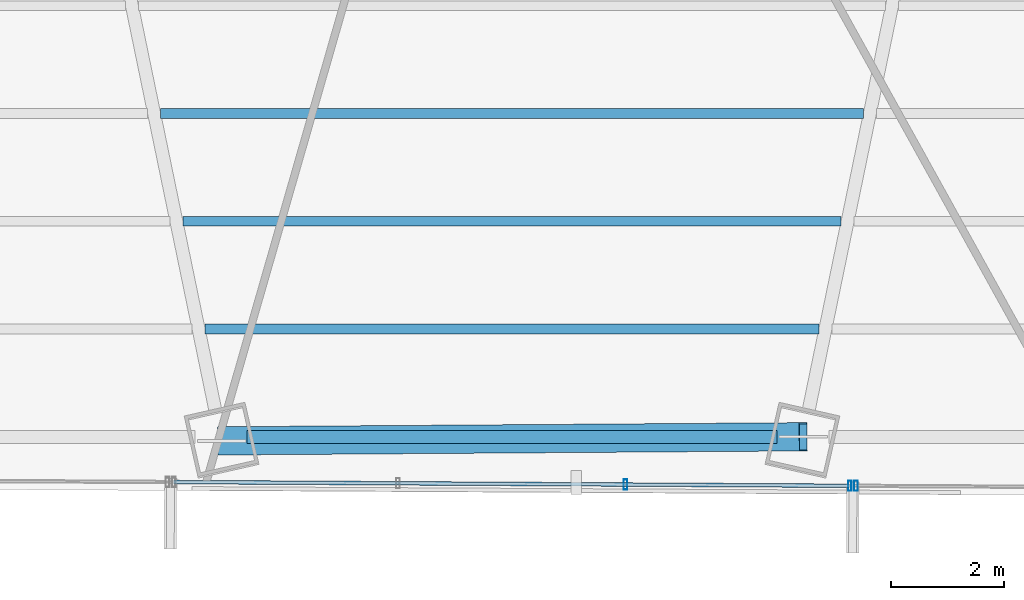
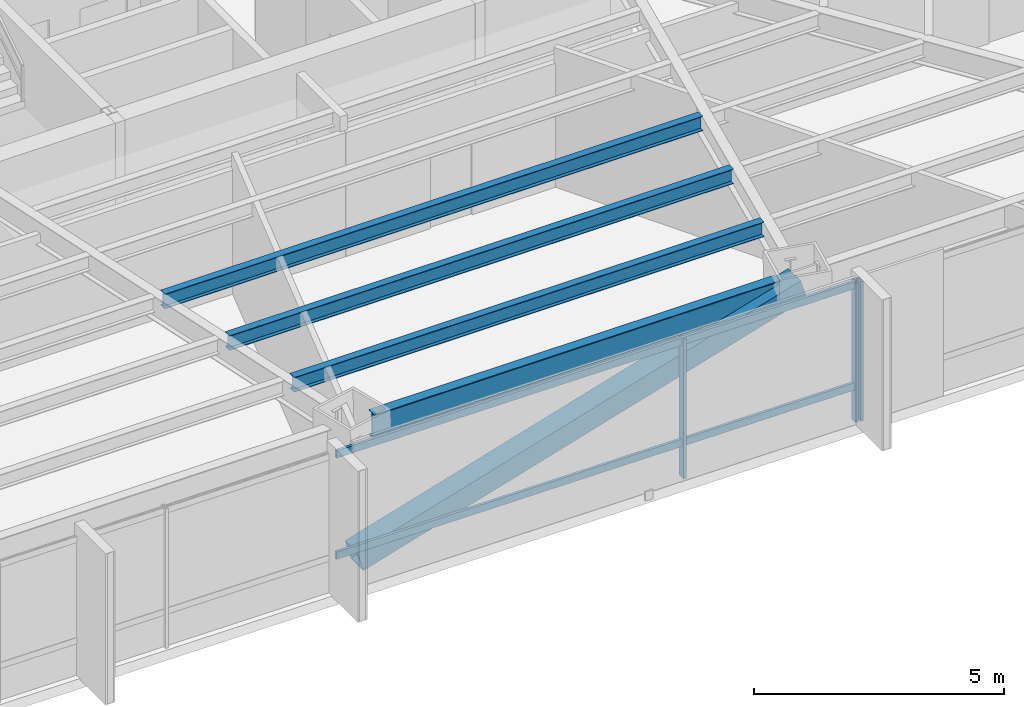
# One storey, part 9 of 36: 6 members, 4 beams, 2 elements without a shape of their own.
"""IFC4 building model written with IfcOpenShell, lengths in metres."""

from ifc_helpers import new_model, si_unit, direction, frame, origin, origin_2d, place, context, subcontext, project, spatial, hollow_rectangle, i_section, extrude, source, transform, mapped, material, material_profile, profile_set, type_object, type_shapes, element, aggregate, save


model = new_model("IFC4")

# Units and contexts
model_context = context("Model", 3, precision=1e-05, world=origin(), true_north=direction((0.0, 1.0)))
body_context = subcontext(model_context, "Body", "Model", "MODEL_VIEW")
ifc_project = project(units=[si_unit("LENGTHUNIT", "METRE"), si_unit("AREAUNIT", "SQUARE_METRE"), si_unit("VOLUMEUNIT", "CUBIC_METRE"), si_unit("PLANEANGLEUNIT", "RADIAN"), si_unit("MASSUNIT", "GRAM", prefix="KILO")], contexts=[model_context])

# Site, building, storey
site_placement = place(None, origin())
site = spatial("IfcSite", under=ifc_project, at=site_placement, CompositionType="ELEMENT")
building_placement = place(site_placement, origin())
building = spatial("IfcBuilding", under=site, at=building_placement, Name="Caelisora Broadcast Tower", CompositionType="ELEMENT")
storey_placement = place(building_placement, frame((0.0, 0.0, 83.5)))
storey = spatial("IfcBuildingStorey", under=building, at=storey_placement, Name="L21", CompositionType="ELEMENT", Elevation=83.5)

# Beams
ifc_material_1 = material(Name="Steel Grade 350 (AS/NZS 3679.1)", Category="steel")
ifc_material_profile_1 = material_profile(ifc_material_1, i_section(OverallWidth=0.22900390625, OverallDepth=0.611572265625, WebThickness=0.011962890625, FlangeThickness=0.01953125, at=origin_2d()), Name="Steel Grade 350 (AS/NZS 3679.1)")
ifc_profile_set_1 = profile_set([ifc_material_profile_1], Name="Steel Grade 350 (AS/NZS 3679.1)")
beam_type_1 = type_object("IfcBeamType", Name="PG03", PredefinedType="BEAM", material=ifc_profile_set_1)
shared_shape_1 = source(origin(), body_context, "Body", "SweptSolid", [
    extrude(i_section(OverallWidth=0.22900390625, OverallDepth=0.611572265625, WebThickness=0.011962890625, FlangeThickness=0.01953125, at=origin_2d()), origin(), (0.0, 0.0, 1.0), 9.36962890625),
])
type_shapes(beam_type_1, [shared_shape_1])
beam_1_placement = place(storey_placement, frame((33.315185546875, 5.9794921875, 3.09423828125), z_axis=(1.0, 0.0, 0.0), x_axis=(0.0, 1.0, 0.0)))
element("IfcBeam", 1, at=beam_1_placement, inside=storey, type_object=beam_type_1, Name="L21 beam PG03", PredefinedType="BEAM", context=body_context, shape_type="MappedRepresentation", body=[
    mapped(shared_shape_1, transform((0.0, 0.0, 0.0), scale=1.0)),
])
ifc_material_profile_2 = material_profile(ifc_material_1, i_section(OverallWidth=0.172119140625, OverallDepth=0.358642578125, WebThickness=0.008056640625, FlangeThickness=0.012939453125, at=origin_2d()), Name="Steel Grade 350 (AS/NZS 3679.1)")
ifc_profile_set_2 = profile_set([ifc_material_profile_2], Name="Steel Grade 350 (AS/NZS 3679.1)")
beam_type_2 = type_object("IfcBeamType", Name="SB02", PredefinedType="JOIST", material=ifc_profile_set_2)
shared_shape_2 = source(origin(), body_context, "Body", "SweptSolid", [
    extrude(i_section(OverallWidth=0.172119140625, OverallDepth=0.358642578125, WebThickness=0.008056640625, FlangeThickness=0.012939453125, at=origin_2d()), origin(), (0.0, 0.0, 1.0), 12.41796875),
])
beam_2_placement = place(storey_placement, frame((31.791015625, 11.689697265625, 3.220703125), z_axis=(1.0, 0.0, 0.0), x_axis=(0.0, 1.0, 0.0)))
element("IfcBeam", 2, at=beam_2_placement, inside=storey, type_object=beam_type_2, Name="L21 beam SB02", PredefinedType="JOIST", context=body_context, shape_type="MappedRepresentation", body=[
    mapped(shared_shape_2, transform((0.0, 0.0, 0.0), scale=1.0)),
])
shared_shape_3 = source(origin(), body_context, "Body", "SweptSolid", [
    extrude(i_section(OverallWidth=0.172119140625, OverallDepth=0.358642578125, WebThickness=0.008056640625, FlangeThickness=0.012939453125, at=origin_2d()), origin(), (0.0, 0.0, 1.0), 11.6328125),
])
beam_3_placement = place(storey_placement, frame((32.18359375, 9.786376953125, 3.220703125), z_axis=(1.0, 0.0, 0.0), x_axis=(0.0, 1.0, 0.0)))
element("IfcBeam", 3, at=beam_3_placement, inside=storey, type_object=beam_type_2, Name="L21 beam SB02", PredefinedType="JOIST", context=body_context, shape_type="MappedRepresentation", body=[
    mapped(shared_shape_3, transform((0.0, 0.0, 0.0), scale=1.0)),
])
shared_shape_4 = source(origin(), body_context, "Body", "SweptSolid", [
    extrude(i_section(OverallWidth=0.172119140625, OverallDepth=0.358642578125, WebThickness=0.008056640625, FlangeThickness=0.012939453125, at=origin_2d()), origin(), (0.0, 0.0, 1.0), 10.84765625),
])
type_shapes(beam_type_2, [shared_shape_2, shared_shape_3, shared_shape_4])
beam_4_placement = place(storey_placement, frame((32.576171875, 7.8828125, 3.220703125), z_axis=(1.0, 0.0, 0.0), x_axis=(0.0, 1.0, 0.0)))
element("IfcBeam", 4, at=beam_4_placement, inside=storey, type_object=beam_type_2, Name="L21 beam SB02", PredefinedType="JOIST", context=body_context, shape_type="MappedRepresentation", body=[
    mapped(shared_shape_4, transform((0.0, 0.0, 0.0), scale=1.0)),
])

# Member
ifc_material_2 = material(Name="Steel Grade 450 L15 (AS/NZS 3678)", Category="steel")
ifc_material_profile_3 = material_profile(ifc_material_2, hollow_rectangle(XDim=0.5, YDim=0.5, WallThickness=0.02001953125, at=origin_2d()), Name="Steel Grade 450 L15 (AS/NZS 3678)")
ifc_profile_set_3 = profile_set([ifc_material_profile_3], Name="Steel Grade 450 L15 (AS/NZS 3678)")
member_type_1 = type_object("IfcMemberType", Name="BR02", PredefinedType="BRACE", material=ifc_profile_set_3)
shared_shape_5 = source(origin(), body_context, "Body", "SweptSolid", [
    extrude(hollow_rectangle(XDim=0.5, YDim=0.5, WallThickness=0.02001953125, at=origin_2d()), origin(), (0.0, 0.0, 1.0), 10.702392578125),
])
type_shapes(member_type_1, [shared_shape_5])
member_1_placement = place(storey_placement, frame((32.87158203125, 5.9072265625, 0.10009765625), z_axis=(0.959886343306, 0.006752212686, 0.280308072591), x_axis=(-0.007034213666, 0.999975259613, 0.0)))
element("IfcMember", 5, at=member_1_placement, inside=storey, type_object=member_type_1, Name="L21 perimeter brace BR02", PredefinedType="BRACE", context=body_context, shape_type="MappedRepresentation", body=[
    mapped(shared_shape_5, transform((0.0, 0.0, 0.0), scale=1.0)),
])

# Curtain wall, member
ifc_material_3 = material(Name="Unitised Aluminium and Low-E Glass Curtain Wall", Category="glass")
curtain_wall_type_1 = type_object("IfcCurtainWallType", Name="CW-Z2", PredefinedType="NOTDEFINED", material=ifc_material_3)
curtain_wall_1_placement = place(storey_placement, origin())
curtain_wall_1 = element("IfcCurtainWall", 6, at=curtain_wall_1_placement, inside=storey, type_object=curtain_wall_type_1, Name="L21 curtain wall CW-Z2", PredefinedType="NOTDEFINED")
ifc_material_4 = material(Name="Aluminium 6063-T6 Anodised Terracotta Bronze", Category="aluminium")
ifc_material_profile_4 = material_profile(ifc_material_4, hollow_rectangle(XDim=0.06494140625, YDim=0.179931640625, WallThickness=0.00341796875, at=origin_2d()), Name="Aluminium 6063-T6 Anodised Terracotta Bronze")
ifc_profile_set_4 = profile_set([ifc_material_profile_4], Name="Aluminium 6063-T6 Anodised Terracotta Bronze")
member_type_2 = type_object("IfcMemberType", Name="CWM-02", PredefinedType="MULLION", material=ifc_profile_set_4)
shared_shape_6 = source(origin(), body_context, "Body", "SweptSolid", [
    extrude(hollow_rectangle(XDim=0.06494140625, YDim=0.179931640625, WallThickness=0.00341796875, at=origin_2d()), origin(), (0.0, 0.0, 1.0), 3.39990234375),
])
type_shapes(member_type_2, [shared_shape_6])
member_2_placement = place(storey_placement, frame((44.0791015625, 5.11328125, 0.0), z_axis=(0.0, 0.0, 1.0), x_axis=(1.0, 0.0, 0.0)))
member_2 = element("IfcMember", 7, at=member_2_placement, type_object=member_type_2, Name="L21-CW-B05 mullion #3", PredefinedType="MULLION", context=body_context, shape_type="MappedRepresentation", body=[
    mapped(shared_shape_6, transform((0.0, 0.0, 0.0), scale=1.0)),
])
aggregate(curtain_wall_1, [member_2])

# Curtain wall, members
ifc_material_5 = material(Name="Unitised Aluminium Insulated Shadow-Box Spandrel Curtain Wall", Category="aluminium")
curtain_wall_type_2 = type_object("IfcCurtainWallType", Name="CW-SP1", PredefinedType="NOTDEFINED", material=ifc_material_5)
curtain_wall_2_placement = place(storey_placement, origin())
curtain_wall_2 = element("IfcCurtainWall", 8, at=curtain_wall_2_placement, inside=storey, type_object=curtain_wall_type_2, Name="L21 curtain wall CW-SP1", PredefinedType="NOTDEFINED")
member_3_placement = place(storey_placement, frame((43.968994140625, 5.11376953125, 0.0), z_axis=(0.0, 0.0, 1.0), x_axis=(1.0, 0.0, 0.0)))
member_3 = element("IfcMember", 9, at=member_3_placement, type_object=member_type_2, Name="L21-CW-B06 mullion #0", PredefinedType="MULLION", context=body_context, shape_type="MappedRepresentation", body=[
    mapped(shared_shape_6, transform((0.0, 0.0, 0.0), scale=1.0)),
])
member_4_placement = place(storey_placement, frame((40.003662109375, 5.1357421875, 0.0), z_axis=(0.0, 0.0, 1.0), x_axis=(1.0, 0.0, 0.0)))
member_4 = element("IfcMember", 10, at=member_4_placement, type_object=member_type_2, Name="L21-CW-B06 mullion #1", PredefinedType="MULLION", context=body_context, shape_type="MappedRepresentation", body=[
    mapped(shared_shape_6, transform((0.0, 0.0, 0.0), scale=1.0)),
])
ifc_material_profile_5 = material_profile(ifc_material_4, hollow_rectangle(XDim=0.06494140625, YDim=0.179931640625, WallThickness=0.00341796875, at=origin_2d()), Name="Aluminium 6063-T6 Anodised Terracotta Bronze")
ifc_profile_set_5 = profile_set([ifc_material_profile_5], Name="Aluminium 6063-T6 Anodised Terracotta Bronze")
member_type_3 = type_object("IfcMemberType", Name="CWT-01", PredefinedType="USERDEFINED", material=ifc_profile_set_5)
shared_shape_7 = source(origin(), body_context, "Body", "SweptSolid", [
    extrude(hollow_rectangle(XDim=0.06494140625, YDim=0.179931640625, WallThickness=0.00341796875, at=origin_2d()), origin(), (0.0, 0.0, 1.0), 11.946533203125),
])
type_shapes(member_type_3, [shared_shape_7])
member_5_placement = place(storey_placement, frame((43.968994140625, 5.11376953125, 0.85009765625), z_axis=(-0.99998477695, 0.005517777523, 0.0), x_axis=(-0.005517777523, -0.99998477695, 0.0)))
member_5 = element("IfcMember", 11, at=member_5_placement, type_object=member_type_3, Name="L21-CW-B06 transom #1", ObjectType="TRANSOM", PredefinedType="USERDEFINED", context=body_context, shape_type="MappedRepresentation", body=[
    mapped(shared_shape_7, transform((0.0, 0.0, 0.0), scale=1.0)),
])
member_6_placement = place(storey_placement, frame((43.968994140625, 5.11376953125, 3.320068359375), z_axis=(-0.99998477695, 0.005517777523, 0.0), x_axis=(-0.005517777523, -0.99998477695, 0.0)))
member_6 = element("IfcMember", 12, at=member_6_placement, type_object=member_type_3, Name="L21-CW-B06 transom #2", ObjectType="TRANSOM", PredefinedType="USERDEFINED", context=body_context, shape_type="MappedRepresentation", body=[
    mapped(shared_shape_7, transform((0.0, 0.0, 0.0), scale=1.0)),
])
aggregate(curtain_wall_2, [member_3, member_4, member_5, member_6])

save(model, "model.ifc")
